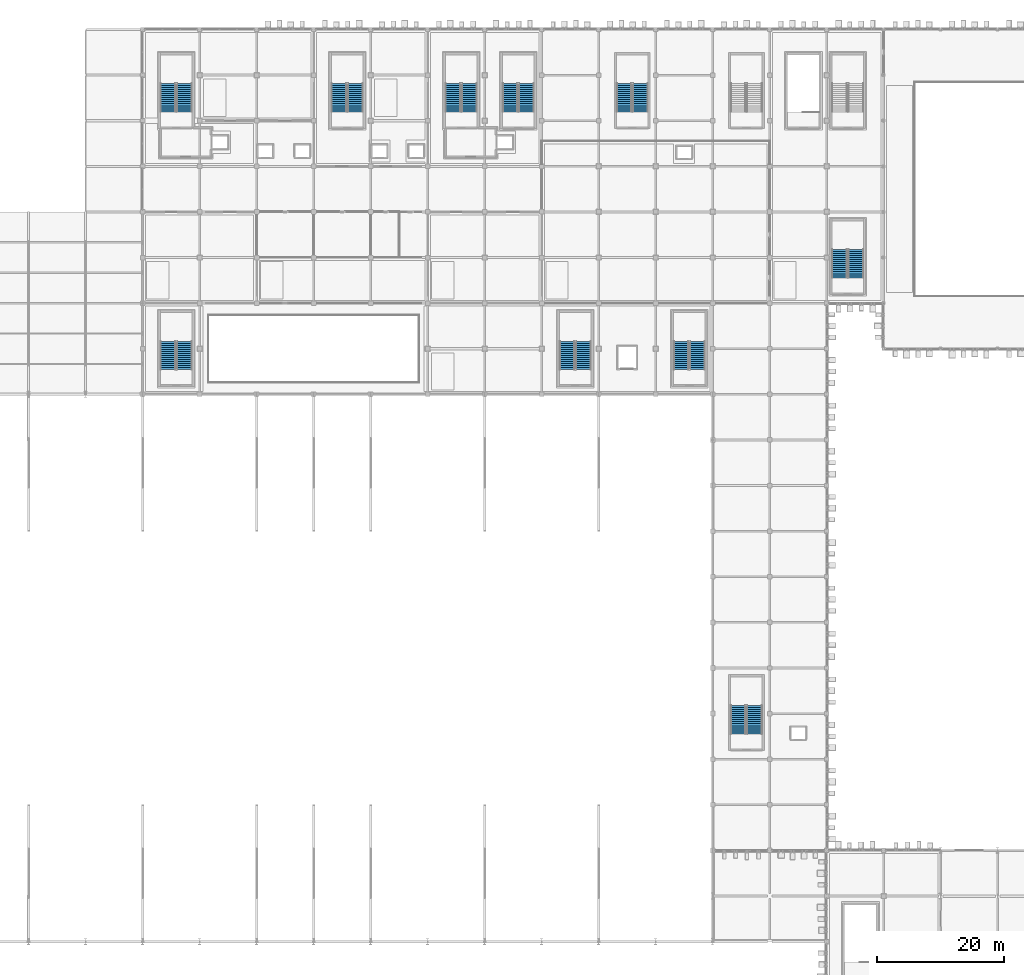
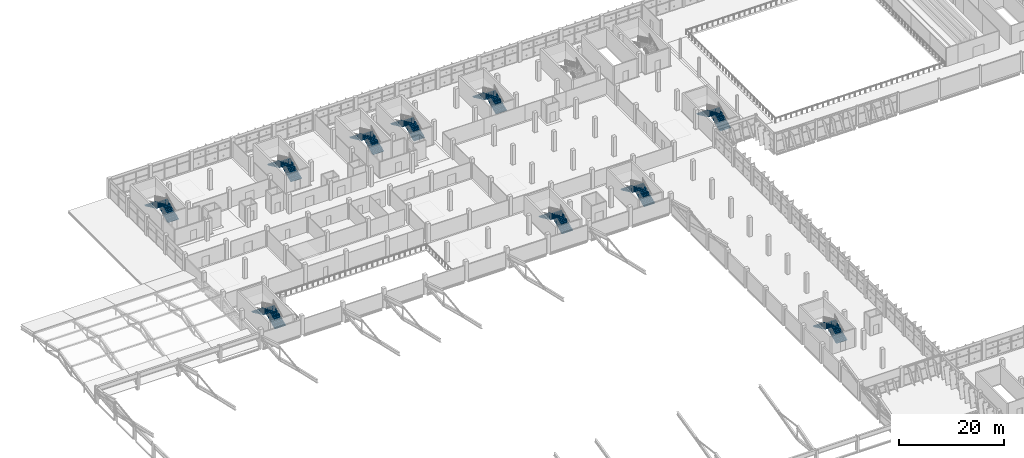
# One storey, part 121 of 151: 20 stair flights, 10 elements without a shape of their own.
"""IFC4 building model written with IfcOpenShell, lengths in metres."""

from ifc_helpers import new_model, si_unit, direction, frame, origin, place, context, subcontext, project, spatial, polyline, outline, extrude, material, type_object, element, aggregate, save


model = new_model("IFC4")

# Units and contexts
model_context = context("Model", 3, precision=1e-05, world=origin(), true_north=direction((0.0, 1.0)))
body_context = subcontext(model_context, "Body", "Model", "MODEL_VIEW")
ifc_project = project(units=[si_unit("LENGTHUNIT", "METRE"), si_unit("AREAUNIT", "SQUARE_METRE"), si_unit("VOLUMEUNIT", "CUBIC_METRE"), si_unit("PLANEANGLEUNIT", "RADIAN"), si_unit("MASSUNIT", "GRAM", prefix="KILO")], contexts=[model_context])

# Site, building, storey
site_placement = place(None, origin())
site = spatial("IfcSite", under=ifc_project, at=site_placement, CompositionType="ELEMENT")
building_placement = place(site_placement, origin())
building = spatial("IfcBuilding", under=site, at=building_placement, Name="Celestram Park Convention Centre", CompositionType="ELEMENT")
storey_placement = place(building_placement, frame((0.0, 0.0, 10.800048828125)))
storey = spatial("IfcBuildingStorey", under=building, at=storey_placement, Name="L02", CompositionType="ELEMENT", Elevation=10.800048828125)

# Stair, stair flights
ifc_material = material(Name="Precast Concrete C40/50", Category="concrete")
stair_type = type_object("IfcStairType", Name="ARC-STR-DOG45", PredefinedType="HALF_TURN_STAIR", material=ifc_material)
stair_1_placement = place(storey_placement, origin())
stair_1 = element("IfcStair", 1, at=stair_1_placement, inside=storey, type_object=stair_type, Name="L02 Core C1 stair ST-01", PredefinedType="HALF_TURN_STAIR")
stair_flight_type = type_object("IfcStairFlightType", Name="ARC-FLT-15R", PredefinedType="STRAIGHT", material=ifc_material)
stair_flight_1_placement = place(storey_placement, frame((42.60009765625, 152.60009765625, 0.0), z_axis=(0.0, 0.0, 1.0), x_axis=(0.0, 1.0, 0.0)))
stair_flight_1 = element("IfcStairFlight", 2, at=stair_flight_1_placement, type_object=stair_flight_type, Name="ST-01 flight 1", NumberOfRisers=15, NumberOfTreads=14, PredefinedType="STRAIGHT", RiserHeight=0.15, TreadLength=0.32, context=body_context, shape_type="SweptSolid", body=[
    extrude(outline(polyline([(0.0, 0.0), (0.0, 0.14990234375), (0.320068359375, 0.14990234375), (0.320068359375, 0.300048828125), (0.639892578125, 0.300048828125), (0.639892578125, 0.449951171875), (0.9599609375, 0.449951171875), (0.9599609375, 0.60009765625), (1.280029296875, 0.60009765625), (1.280029296875, 0.75), (1.60009765625, 0.75), (1.60009765625, 0.89990234375), (1.919921875, 0.89990234375), (1.919921875, 1.050048828125), (2.239990234375, 1.050048828125), (2.239990234375, 1.199951171875), (2.56005859375, 1.199951171875), (2.56005859375, 1.35009765625), (2.8798828125, 1.35009765625), (2.8798828125, 1.5), (3.199951171875, 1.5), (3.199951171875, 1.64990234375), (3.52001953125, 1.64990234375), (3.52001953125, 1.800048828125), (3.840087890625, 1.800048828125), (3.840087890625, 1.949951171875), (4.159912109375, 1.949951171875), (4.159912109375, 2.10009765625), (4.47998046875, 2.10009765625), (4.47998046875, 2.25), (4.47998046875, 1.934326171875), (0.353271484375, 0.0), (0.0, 0.0)])), frame((0.0, 1.199951171875, 0.0), z_axis=(0.0, -1.0, 0.0), x_axis=(1.0, 0.0, 0.0)), (0.0, 0.0, 1.0), 2.39990234375),
])
stair_flight_2_placement = place(storey_placement, frame((40.0400390625, 157.080078125, 2.25), z_axis=(0.0, 0.0, 1.0), x_axis=(0.0, -1.0, 0.0)))
stair_flight_2 = element("IfcStairFlight", 3, at=stair_flight_2_placement, type_object=stair_flight_type, Name="ST-01 flight 2", NumberOfRisers=15, NumberOfTreads=14, PredefinedType="STRAIGHT", RiserHeight=0.15, TreadLength=0.32, context=body_context, shape_type="SweptSolid", body=[
    extrude(outline(polyline([(0.0, 0.0), (0.0, 0.14990234375), (0.320068359375, 0.14990234375), (0.320068359375, 0.300048828125), (0.639892578125, 0.300048828125), (0.639892578125, 0.449951171875), (0.9599609375, 0.449951171875), (0.9599609375, 0.60009765625), (1.280029296875, 0.60009765625), (1.280029296875, 0.75), (1.60009765625, 0.75), (1.60009765625, 0.89990234375), (1.919921875, 0.89990234375), (1.919921875, 1.050048828125), (2.239990234375, 1.050048828125), (2.239990234375, 1.199951171875), (2.56005859375, 1.199951171875), (2.56005859375, 1.35009765625), (2.8798828125, 1.35009765625), (2.8798828125, 1.5), (3.199951171875, 1.5), (3.199951171875, 1.64990234375), (3.52001953125, 1.64990234375), (3.52001953125, 1.800048828125), (3.840087890625, 1.800048828125), (3.840087890625, 1.949951171875), (4.159912109375, 1.949951171875), (4.159912109375, 2.10009765625), (4.47998046875, 2.10009765625), (4.47998046875, 2.25), (4.47998046875, 1.934326171875), (0.353271484375, 0.0), (0.0, 0.0)])), frame((0.0, 1.199951171875, 0.0), z_axis=(0.0, -1.0, 0.0), x_axis=(1.0, 0.0, 0.0)), (0.0, 0.0, 1.0), 2.39990234375),
])
aggregate(stair_1, [stair_flight_1, stair_flight_2])

stair_2_placement = place(storey_placement, origin())
stair_2 = element("IfcStair", 4, at=stair_2_placement, inside=storey, type_object=stair_type, Name="L02 Core C2 stair ST-02", PredefinedType="HALF_TURN_STAIR")
stair_flight_3_placement = place(storey_placement, frame((87.60009765625, 152.60009765625, 0.0), z_axis=(0.0, 0.0, 1.0), x_axis=(0.0, 1.0, 0.0)))
stair_flight_3 = element("IfcStairFlight", 5, at=stair_flight_3_placement, type_object=stair_flight_type, Name="ST-02 flight 1", NumberOfRisers=15, NumberOfTreads=14, PredefinedType="STRAIGHT", RiserHeight=0.15, TreadLength=0.32, context=body_context, shape_type="SweptSolid", body=[
    extrude(outline(polyline([(0.0, 0.0), (0.0, 0.14990234375), (0.320068359375, 0.14990234375), (0.320068359375, 0.300048828125), (0.639892578125, 0.300048828125), (0.639892578125, 0.449951171875), (0.9599609375, 0.449951171875), (0.9599609375, 0.60009765625), (1.280029296875, 0.60009765625), (1.280029296875, 0.75), (1.60009765625, 0.75), (1.60009765625, 0.89990234375), (1.919921875, 0.89990234375), (1.919921875, 1.050048828125), (2.239990234375, 1.050048828125), (2.239990234375, 1.199951171875), (2.56005859375, 1.199951171875), (2.56005859375, 1.35009765625), (2.8798828125, 1.35009765625), (2.8798828125, 1.5), (3.199951171875, 1.5), (3.199951171875, 1.64990234375), (3.52001953125, 1.64990234375), (3.52001953125, 1.800048828125), (3.840087890625, 1.800048828125), (3.840087890625, 1.949951171875), (4.159912109375, 1.949951171875), (4.159912109375, 2.10009765625), (4.47998046875, 2.10009765625), (4.47998046875, 2.25), (4.47998046875, 1.934326171875), (0.353271484375, 0.0), (0.0, 0.0)])), frame((0.0, 1.199951171875, 0.0), z_axis=(0.0, -1.0, 0.0), x_axis=(1.0, 0.0, 0.0)), (0.0, 0.0, 1.0), 2.39990234375),
])
stair_flight_4_placement = place(storey_placement, frame((85.0400390625, 157.080078125, 2.25), z_axis=(0.0, 0.0, 1.0), x_axis=(0.0, -1.0, 0.0)))
stair_flight_4 = element("IfcStairFlight", 6, at=stair_flight_4_placement, type_object=stair_flight_type, Name="ST-02 flight 2", NumberOfRisers=15, NumberOfTreads=14, PredefinedType="STRAIGHT", RiserHeight=0.15, TreadLength=0.32, context=body_context, shape_type="SweptSolid", body=[
    extrude(outline(polyline([(0.0, 0.0), (0.0, 0.14990234375), (0.320068359375, 0.14990234375), (0.320068359375, 0.300048828125), (0.639892578125, 0.300048828125), (0.639892578125, 0.449951171875), (0.9599609375, 0.449951171875), (0.9599609375, 0.60009765625), (1.280029296875, 0.60009765625), (1.280029296875, 0.75), (1.60009765625, 0.75), (1.60009765625, 0.89990234375), (1.919921875, 0.89990234375), (1.919921875, 1.050048828125), (2.239990234375, 1.050048828125), (2.239990234375, 1.199951171875), (2.56005859375, 1.199951171875), (2.56005859375, 1.35009765625), (2.8798828125, 1.35009765625), (2.8798828125, 1.5), (3.199951171875, 1.5), (3.199951171875, 1.64990234375), (3.52001953125, 1.64990234375), (3.52001953125, 1.800048828125), (3.840087890625, 1.800048828125), (3.840087890625, 1.949951171875), (4.159912109375, 1.949951171875), (4.159912109375, 2.10009765625), (4.47998046875, 2.10009765625), (4.47998046875, 2.25), (4.47998046875, 1.934326171875), (0.353271484375, 0.0), (0.0, 0.0)])), frame((0.0, 1.199951171875, 0.0), z_axis=(0.0, -1.0, 0.0), x_axis=(1.0, 0.0, 0.0)), (0.0, 0.0, 1.0), 2.39990234375),
])
aggregate(stair_2, [stair_flight_3, stair_flight_4])

stair_3_placement = place(storey_placement, origin())
stair_3 = element("IfcStair", 7, at=stair_3_placement, inside=storey, type_object=stair_type, Name="L02 Core C3 stair ST-03", PredefinedType="HALF_TURN_STAIR")
stair_flight_5_placement = place(storey_placement, frame((105.60009765625, 111.89990234375, 0.0), z_axis=(0.0, 0.0, 1.0), x_axis=(0.0, 1.0, 0.0)))
stair_flight_5 = element("IfcStairFlight", 8, at=stair_flight_5_placement, type_object=stair_flight_type, Name="ST-03 flight 1", NumberOfRisers=15, NumberOfTreads=14, PredefinedType="STRAIGHT", RiserHeight=0.15, TreadLength=0.32, context=body_context, shape_type="SweptSolid", body=[
    extrude(outline(polyline([(0.0, 0.0), (0.0, 0.14990234375), (0.320068359375, 0.14990234375), (0.320068359375, 0.300048828125), (0.639892578125, 0.300048828125), (0.639892578125, 0.449951171875), (0.9599609375, 0.449951171875), (0.9599609375, 0.60009765625), (1.280029296875, 0.60009765625), (1.280029296875, 0.75), (1.60009765625, 0.75), (1.60009765625, 0.89990234375), (1.919921875, 0.89990234375), (1.919921875, 1.050048828125), (2.239990234375, 1.050048828125), (2.239990234375, 1.199951171875), (2.56005859375, 1.199951171875), (2.56005859375, 1.35009765625), (2.8798828125, 1.35009765625), (2.8798828125, 1.5), (3.199951171875, 1.5), (3.199951171875, 1.64990234375), (3.52001953125, 1.64990234375), (3.52001953125, 1.800048828125), (3.840087890625, 1.800048828125), (3.840087890625, 1.949951171875), (4.159912109375, 1.949951171875), (4.159912109375, 2.10009765625), (4.47998046875, 2.10009765625), (4.47998046875, 2.25), (4.47998046875, 1.934326171875), (0.353271484375, 0.0), (0.0, 0.0)])), frame((0.0, 1.199951171875, 0.0), z_axis=(0.0, -1.0, 0.0), x_axis=(1.0, 0.0, 0.0)), (0.0, 0.0, 1.0), 2.39990234375),
])
stair_flight_6_placement = place(storey_placement, frame((103.0400390625, 116.3798828125, 2.25), z_axis=(0.0, 0.0, 1.0), x_axis=(0.0, -1.0, 0.0)))
stair_flight_6 = element("IfcStairFlight", 9, at=stair_flight_6_placement, type_object=stair_flight_type, Name="ST-03 flight 2", NumberOfRisers=15, NumberOfTreads=14, PredefinedType="STRAIGHT", RiserHeight=0.15, TreadLength=0.32, context=body_context, shape_type="SweptSolid", body=[
    extrude(outline(polyline([(0.0, 0.0), (0.0, 0.14990234375), (0.320068359375, 0.14990234375), (0.320068359375, 0.300048828125), (0.639892578125, 0.300048828125), (0.639892578125, 0.449951171875), (0.9599609375, 0.449951171875), (0.9599609375, 0.60009765625), (1.280029296875, 0.60009765625), (1.280029296875, 0.75), (1.60009765625, 0.75), (1.60009765625, 0.89990234375), (1.919921875, 0.89990234375), (1.919921875, 1.050048828125), (2.239990234375, 1.050048828125), (2.239990234375, 1.199951171875), (2.56005859375, 1.199951171875), (2.56005859375, 1.35009765625), (2.8798828125, 1.35009765625), (2.8798828125, 1.5), (3.199951171875, 1.5), (3.199951171875, 1.64990234375), (3.52001953125, 1.64990234375), (3.52001953125, 1.800048828125), (3.840087890625, 1.800048828125), (3.840087890625, 1.949951171875), (4.159912109375, 1.949951171875), (4.159912109375, 2.10009765625), (4.47998046875, 2.10009765625), (4.47998046875, 2.25), (4.47998046875, 1.934326171875), (0.353271484375, 0.0), (0.0, 0.0)])), frame((0.0, 1.199951171875, 0.0), z_axis=(0.0, -1.0, 0.0), x_axis=(1.0, 0.0, 0.0)), (0.0, 0.0, 1.0), 2.39990234375),
])
aggregate(stair_3, [stair_flight_5, stair_flight_6])

stair_4_placement = place(storey_placement, origin())
stair_4 = element("IfcStair", 10, at=stair_4_placement, inside=storey, type_object=stair_type, Name="L02 Core C4 stair ST-04", PredefinedType="HALF_TURN_STAIR")
stair_flight_7_placement = place(storey_placement, frame((132.60009765625, 54.39990234375, 0.0), z_axis=(0.0, 0.0, 1.0), x_axis=(0.0, 1.0, 0.0)))
stair_flight_7 = element("IfcStairFlight", 11, at=stair_flight_7_placement, type_object=stair_flight_type, Name="ST-04 flight 1", NumberOfRisers=15, NumberOfTreads=14, PredefinedType="STRAIGHT", RiserHeight=0.15, TreadLength=0.32, context=body_context, shape_type="SweptSolid", body=[
    extrude(outline(polyline([(0.0, 0.0), (0.0, 0.14990234375), (0.320068359375, 0.14990234375), (0.320068359375, 0.300048828125), (0.639892578125, 0.300048828125), (0.639892578125, 0.449951171875), (0.9599609375, 0.449951171875), (0.9599609375, 0.60009765625), (1.280029296875, 0.60009765625), (1.280029296875, 0.75), (1.60009765625, 0.75), (1.60009765625, 0.89990234375), (1.919921875, 0.89990234375), (1.919921875, 1.050048828125), (2.239990234375, 1.050048828125), (2.239990234375, 1.199951171875), (2.56005859375, 1.199951171875), (2.56005859375, 1.35009765625), (2.8798828125, 1.35009765625), (2.8798828125, 1.5), (3.199951171875, 1.5), (3.199951171875, 1.64990234375), (3.52001953125, 1.64990234375), (3.52001953125, 1.800048828125), (3.840087890625, 1.800048828125), (3.840087890625, 1.949951171875), (4.159912109375, 1.949951171875), (4.159912109375, 2.10009765625), (4.47998046875, 2.10009765625), (4.47998046875, 2.25), (4.47998046875, 1.934326171875), (0.353271484375, 0.0), (0.0, 0.0)])), frame((0.0, 1.199951171875, 0.0), z_axis=(0.0, -1.0, 0.0), x_axis=(1.0, 0.0, 0.0)), (0.0, 0.0, 1.0), 2.39990234375),
])
stair_flight_8_placement = place(storey_placement, frame((130.0400390625, 58.8798828125, 2.25), z_axis=(0.0, 0.0, 1.0), x_axis=(0.0, -1.0, 0.0)))
stair_flight_8 = element("IfcStairFlight", 12, at=stair_flight_8_placement, type_object=stair_flight_type, Name="ST-04 flight 2", NumberOfRisers=15, NumberOfTreads=14, PredefinedType="STRAIGHT", RiserHeight=0.15, TreadLength=0.32, context=body_context, shape_type="SweptSolid", body=[
    extrude(outline(polyline([(0.0, 0.0), (0.0, 0.14990234375), (0.320068359375, 0.14990234375), (0.320068359375, 0.300048828125), (0.639892578125, 0.300048828125), (0.639892578125, 0.449951171875), (0.9599609375, 0.449951171875), (0.9599609375, 0.60009765625), (1.280029296875, 0.60009765625), (1.280029296875, 0.75), (1.60009765625, 0.75), (1.60009765625, 0.89990234375), (1.919921875, 0.89990234375), (1.919921875, 1.050048828125), (2.239990234375, 1.050048828125), (2.239990234375, 1.199951171875), (2.56005859375, 1.199951171875), (2.56005859375, 1.35009765625), (2.8798828125, 1.35009765625), (2.8798828125, 1.5), (3.199951171875, 1.5), (3.199951171875, 1.64990234375), (3.52001953125, 1.64990234375), (3.52001953125, 1.800048828125), (3.840087890625, 1.800048828125), (3.840087890625, 1.949951171875), (4.159912109375, 1.949951171875), (4.159912109375, 2.10009765625), (4.47998046875, 2.10009765625), (4.47998046875, 2.25), (4.47998046875, 1.934326171875), (0.353271484375, 0.0), (0.0, 0.0)])), frame((0.0, 1.199951171875, 0.0), z_axis=(0.0, -1.0, 0.0), x_axis=(1.0, 0.0, 0.0)), (0.0, 0.0, 1.0), 2.39990234375),
])
aggregate(stair_4, [stair_flight_7, stair_flight_8])

stair_5_placement = place(storey_placement, origin())
stair_5 = element("IfcStair", 13, at=stair_5_placement, inside=storey, type_object=stair_type, Name="L02 Core S10 stair ST-10", PredefinedType="HALF_TURN_STAIR")
stair_flight_9_placement = place(storey_placement, frame((148.60009765625, 126.39990234375, 0.0), z_axis=(0.0, 0.0, 1.0), x_axis=(0.0, 1.0, 0.0)))
stair_flight_9 = element("IfcStairFlight", 14, at=stair_flight_9_placement, type_object=stair_flight_type, Name="ST-10 flight 1", NumberOfRisers=15, NumberOfTreads=14, PredefinedType="STRAIGHT", RiserHeight=0.15, TreadLength=0.32, context=body_context, shape_type="SweptSolid", body=[
    extrude(outline(polyline([(0.0, 0.0), (0.0, 0.14990234375), (0.320068359375, 0.14990234375), (0.320068359375, 0.300048828125), (0.639892578125, 0.300048828125), (0.639892578125, 0.449951171875), (0.9599609375, 0.449951171875), (0.9599609375, 0.60009765625), (1.280029296875, 0.60009765625), (1.280029296875, 0.75), (1.60009765625, 0.75), (1.60009765625, 0.89990234375), (1.919921875, 0.89990234375), (1.919921875, 1.050048828125), (2.239990234375, 1.050048828125), (2.239990234375, 1.199951171875), (2.56005859375, 1.199951171875), (2.56005859375, 1.35009765625), (2.8798828125, 1.35009765625), (2.8798828125, 1.5), (3.199951171875, 1.5), (3.199951171875, 1.64990234375), (3.52001953125, 1.64990234375), (3.52001953125, 1.800048828125), (3.840087890625, 1.800048828125), (3.840087890625, 1.949951171875), (4.159912109375, 1.949951171875), (4.159912109375, 2.10009765625), (4.47998046875, 2.10009765625), (4.47998046875, 2.25), (4.47998046875, 1.934326171875), (0.353271484375, 0.0), (0.0, 0.0)])), frame((0.0, 1.199951171875, 0.0), z_axis=(0.0, -1.0, 0.0), x_axis=(1.0, 0.0, 0.0)), (0.0, 0.0, 1.0), 2.39990234375),
])
stair_flight_10_placement = place(storey_placement, frame((146.0400390625, 130.8798828125, 2.25), z_axis=(0.0, 0.0, 1.0), x_axis=(0.0, -1.0, 0.0)))
stair_flight_10 = element("IfcStairFlight", 15, at=stair_flight_10_placement, type_object=stair_flight_type, Name="ST-10 flight 2", NumberOfRisers=15, NumberOfTreads=14, PredefinedType="STRAIGHT", RiserHeight=0.15, TreadLength=0.32, context=body_context, shape_type="SweptSolid", body=[
    extrude(outline(polyline([(0.0, 0.0), (0.0, 0.14990234375), (0.320068359375, 0.14990234375), (0.320068359375, 0.300048828125), (0.639892578125, 0.300048828125), (0.639892578125, 0.449951171875), (0.9599609375, 0.449951171875), (0.9599609375, 0.60009765625), (1.280029296875, 0.60009765625), (1.280029296875, 0.75), (1.60009765625, 0.75), (1.60009765625, 0.89990234375), (1.919921875, 0.89990234375), (1.919921875, 1.050048828125), (2.239990234375, 1.050048828125), (2.239990234375, 1.199951171875), (2.56005859375, 1.199951171875), (2.56005859375, 1.35009765625), (2.8798828125, 1.35009765625), (2.8798828125, 1.5), (3.199951171875, 1.5), (3.199951171875, 1.64990234375), (3.52001953125, 1.64990234375), (3.52001953125, 1.800048828125), (3.840087890625, 1.800048828125), (3.840087890625, 1.949951171875), (4.159912109375, 1.949951171875), (4.159912109375, 2.10009765625), (4.47998046875, 2.10009765625), (4.47998046875, 2.25), (4.47998046875, 1.934326171875), (0.353271484375, 0.0), (0.0, 0.0)])), frame((0.0, 1.199951171875, 0.0), z_axis=(0.0, -1.0, 0.0), x_axis=(1.0, 0.0, 0.0)), (0.0, 0.0, 1.0), 2.39990234375),
])
aggregate(stair_5, [stair_flight_9, stair_flight_10])

stair_6_placement = place(storey_placement, origin())
stair_6 = element("IfcStair", 16, at=stair_6_placement, inside=storey, type_object=stair_type, Name="L02 Core S13 stair ST-13", PredefinedType="HALF_TURN_STAIR")
stair_flight_11_placement = place(storey_placement, frame((42.60009765625, 111.89990234375, 0.0), z_axis=(0.0, 0.0, 1.0), x_axis=(0.0, 1.0, 0.0)))
stair_flight_11 = element("IfcStairFlight", 17, at=stair_flight_11_placement, type_object=stair_flight_type, Name="ST-13 flight 1", NumberOfRisers=15, NumberOfTreads=14, PredefinedType="STRAIGHT", RiserHeight=0.15, TreadLength=0.32, context=body_context, shape_type="SweptSolid", body=[
    extrude(outline(polyline([(0.0, 0.0), (0.0, 0.14990234375), (0.320068359375, 0.14990234375), (0.320068359375, 0.300048828125), (0.639892578125, 0.300048828125), (0.639892578125, 0.449951171875), (0.9599609375, 0.449951171875), (0.9599609375, 0.60009765625), (1.280029296875, 0.60009765625), (1.280029296875, 0.75), (1.60009765625, 0.75), (1.60009765625, 0.89990234375), (1.919921875, 0.89990234375), (1.919921875, 1.050048828125), (2.239990234375, 1.050048828125), (2.239990234375, 1.199951171875), (2.56005859375, 1.199951171875), (2.56005859375, 1.35009765625), (2.8798828125, 1.35009765625), (2.8798828125, 1.5), (3.199951171875, 1.5), (3.199951171875, 1.64990234375), (3.52001953125, 1.64990234375), (3.52001953125, 1.800048828125), (3.840087890625, 1.800048828125), (3.840087890625, 1.949951171875), (4.159912109375, 1.949951171875), (4.159912109375, 2.10009765625), (4.47998046875, 2.10009765625), (4.47998046875, 2.25), (4.47998046875, 1.934326171875), (0.353271484375, 0.0), (0.0, 0.0)])), frame((0.0, 1.199951171875, 0.0), z_axis=(0.0, -1.0, 0.0), x_axis=(1.0, 0.0, 0.0)), (0.0, 0.0, 1.0), 2.39990234375),
])
stair_flight_12_placement = place(storey_placement, frame((40.0400390625, 116.3798828125, 2.25), z_axis=(0.0, 0.0, 1.0), x_axis=(0.0, -1.0, 0.0)))
stair_flight_12 = element("IfcStairFlight", 18, at=stair_flight_12_placement, type_object=stair_flight_type, Name="ST-13 flight 2", NumberOfRisers=15, NumberOfTreads=14, PredefinedType="STRAIGHT", RiserHeight=0.15, TreadLength=0.32, context=body_context, shape_type="SweptSolid", body=[
    extrude(outline(polyline([(0.0, 0.0), (0.0, 0.14990234375), (0.320068359375, 0.14990234375), (0.320068359375, 0.300048828125), (0.639892578125, 0.300048828125), (0.639892578125, 0.449951171875), (0.9599609375, 0.449951171875), (0.9599609375, 0.60009765625), (1.280029296875, 0.60009765625), (1.280029296875, 0.75), (1.60009765625, 0.75), (1.60009765625, 0.89990234375), (1.919921875, 0.89990234375), (1.919921875, 1.050048828125), (2.239990234375, 1.050048828125), (2.239990234375, 1.199951171875), (2.56005859375, 1.199951171875), (2.56005859375, 1.35009765625), (2.8798828125, 1.35009765625), (2.8798828125, 1.5), (3.199951171875, 1.5), (3.199951171875, 1.64990234375), (3.52001953125, 1.64990234375), (3.52001953125, 1.800048828125), (3.840087890625, 1.800048828125), (3.840087890625, 1.949951171875), (4.159912109375, 1.949951171875), (4.159912109375, 2.10009765625), (4.47998046875, 2.10009765625), (4.47998046875, 2.25), (4.47998046875, 1.934326171875), (0.353271484375, 0.0), (0.0, 0.0)])), frame((0.0, 1.199951171875, 0.0), z_axis=(0.0, -1.0, 0.0), x_axis=(1.0, 0.0, 0.0)), (0.0, 0.0, 1.0), 2.39990234375),
])
aggregate(stair_6, [stair_flight_11, stair_flight_12])

stair_7_placement = place(storey_placement, origin())
stair_7 = element("IfcStair", 19, at=stair_7_placement, inside=storey, type_object=stair_type, Name="L02 Core S14 stair ST-14", PredefinedType="HALF_TURN_STAIR")
stair_flight_13_placement = place(storey_placement, frame((69.60009765625, 152.60009765625, 0.0), z_axis=(0.0, 0.0, 1.0), x_axis=(0.0, 1.0, 0.0)))
stair_flight_13 = element("IfcStairFlight", 20, at=stair_flight_13_placement, type_object=stair_flight_type, Name="ST-14 flight 1", NumberOfRisers=15, NumberOfTreads=14, PredefinedType="STRAIGHT", RiserHeight=0.15, TreadLength=0.32, context=body_context, shape_type="SweptSolid", body=[
    extrude(outline(polyline([(0.0, 0.0), (0.0, 0.14990234375), (0.320068359375, 0.14990234375), (0.320068359375, 0.300048828125), (0.639892578125, 0.300048828125), (0.639892578125, 0.449951171875), (0.9599609375, 0.449951171875), (0.9599609375, 0.60009765625), (1.280029296875, 0.60009765625), (1.280029296875, 0.75), (1.60009765625, 0.75), (1.60009765625, 0.89990234375), (1.919921875, 0.89990234375), (1.919921875, 1.050048828125), (2.239990234375, 1.050048828125), (2.239990234375, 1.199951171875), (2.56005859375, 1.199951171875), (2.56005859375, 1.35009765625), (2.8798828125, 1.35009765625), (2.8798828125, 1.5), (3.199951171875, 1.5), (3.199951171875, 1.64990234375), (3.52001953125, 1.64990234375), (3.52001953125, 1.800048828125), (3.840087890625, 1.800048828125), (3.840087890625, 1.949951171875), (4.159912109375, 1.949951171875), (4.159912109375, 2.10009765625), (4.47998046875, 2.10009765625), (4.47998046875, 2.25), (4.47998046875, 1.934326171875), (0.353271484375, 0.0), (0.0, 0.0)])), frame((0.0, 1.199951171875, 0.0), z_axis=(0.0, -1.0, 0.0), x_axis=(1.0, 0.0, 0.0)), (0.0, 0.0, 1.0), 2.39990234375),
])
stair_flight_14_placement = place(storey_placement, frame((67.0400390625, 157.080078125, 2.25), z_axis=(0.0, 0.0, 1.0), x_axis=(0.0, -1.0, 0.0)))
stair_flight_14 = element("IfcStairFlight", 21, at=stair_flight_14_placement, type_object=stair_flight_type, Name="ST-14 flight 2", NumberOfRisers=15, NumberOfTreads=14, PredefinedType="STRAIGHT", RiserHeight=0.15, TreadLength=0.32, context=body_context, shape_type="SweptSolid", body=[
    extrude(outline(polyline([(0.0, 0.0), (0.0, 0.14990234375), (0.320068359375, 0.14990234375), (0.320068359375, 0.300048828125), (0.639892578125, 0.300048828125), (0.639892578125, 0.449951171875), (0.9599609375, 0.449951171875), (0.9599609375, 0.60009765625), (1.280029296875, 0.60009765625), (1.280029296875, 0.75), (1.60009765625, 0.75), (1.60009765625, 0.89990234375), (1.919921875, 0.89990234375), (1.919921875, 1.050048828125), (2.239990234375, 1.050048828125), (2.239990234375, 1.199951171875), (2.56005859375, 1.199951171875), (2.56005859375, 1.35009765625), (2.8798828125, 1.35009765625), (2.8798828125, 1.5), (3.199951171875, 1.5), (3.199951171875, 1.64990234375), (3.52001953125, 1.64990234375), (3.52001953125, 1.800048828125), (3.840087890625, 1.800048828125), (3.840087890625, 1.949951171875), (4.159912109375, 1.949951171875), (4.159912109375, 2.10009765625), (4.47998046875, 2.10009765625), (4.47998046875, 2.25), (4.47998046875, 1.934326171875), (0.353271484375, 0.0), (0.0, 0.0)])), frame((0.0, 1.199951171875, 0.0), z_axis=(0.0, -1.0, 0.0), x_axis=(1.0, 0.0, 0.0)), (0.0, 0.0, 1.0), 2.39990234375),
])
aggregate(stair_7, [stair_flight_13, stair_flight_14])

stair_8_placement = place(storey_placement, origin())
stair_8 = element("IfcStair", 22, at=stair_8_placement, inside=storey, type_object=stair_type, Name="L02 Core S16 stair ST-16", PredefinedType="HALF_TURN_STAIR")
stair_flight_15_placement = place(storey_placement, frame((114.60009765625, 152.60009765625, 0.0), z_axis=(0.0, 0.0, 1.0), x_axis=(0.0, 1.0, 0.0)))
stair_flight_15 = element("IfcStairFlight", 23, at=stair_flight_15_placement, type_object=stair_flight_type, Name="ST-16 flight 1", NumberOfRisers=15, NumberOfTreads=14, PredefinedType="STRAIGHT", RiserHeight=0.15, TreadLength=0.32, context=body_context, shape_type="SweptSolid", body=[
    extrude(outline(polyline([(0.0, 0.0), (0.0, 0.14990234375), (0.320068359375, 0.14990234375), (0.320068359375, 0.300048828125), (0.639892578125, 0.300048828125), (0.639892578125, 0.449951171875), (0.9599609375, 0.449951171875), (0.9599609375, 0.60009765625), (1.280029296875, 0.60009765625), (1.280029296875, 0.75), (1.60009765625, 0.75), (1.60009765625, 0.89990234375), (1.919921875, 0.89990234375), (1.919921875, 1.050048828125), (2.239990234375, 1.050048828125), (2.239990234375, 1.199951171875), (2.56005859375, 1.199951171875), (2.56005859375, 1.35009765625), (2.8798828125, 1.35009765625), (2.8798828125, 1.5), (3.199951171875, 1.5), (3.199951171875, 1.64990234375), (3.52001953125, 1.64990234375), (3.52001953125, 1.800048828125), (3.840087890625, 1.800048828125), (3.840087890625, 1.949951171875), (4.159912109375, 1.949951171875), (4.159912109375, 2.10009765625), (4.47998046875, 2.10009765625), (4.47998046875, 2.25), (4.47998046875, 1.934326171875), (0.353271484375, 0.0), (0.0, 0.0)])), frame((0.0, 1.199951171875, 0.0), z_axis=(0.0, -1.0, 0.0), x_axis=(1.0, 0.0, 0.0)), (0.0, 0.0, 1.0), 2.39990234375),
])
stair_flight_16_placement = place(storey_placement, frame((112.0400390625, 157.080078125, 2.25), z_axis=(0.0, 0.0, 1.0), x_axis=(0.0, -1.0, 0.0)))
stair_flight_16 = element("IfcStairFlight", 24, at=stair_flight_16_placement, type_object=stair_flight_type, Name="ST-16 flight 2", NumberOfRisers=15, NumberOfTreads=14, PredefinedType="STRAIGHT", RiserHeight=0.15, TreadLength=0.32, context=body_context, shape_type="SweptSolid", body=[
    extrude(outline(polyline([(0.0, 0.0), (0.0, 0.14990234375), (0.320068359375, 0.14990234375), (0.320068359375, 0.300048828125), (0.639892578125, 0.300048828125), (0.639892578125, 0.449951171875), (0.9599609375, 0.449951171875), (0.9599609375, 0.60009765625), (1.280029296875, 0.60009765625), (1.280029296875, 0.75), (1.60009765625, 0.75), (1.60009765625, 0.89990234375), (1.919921875, 0.89990234375), (1.919921875, 1.050048828125), (2.239990234375, 1.050048828125), (2.239990234375, 1.199951171875), (2.56005859375, 1.199951171875), (2.56005859375, 1.35009765625), (2.8798828125, 1.35009765625), (2.8798828125, 1.5), (3.199951171875, 1.5), (3.199951171875, 1.64990234375), (3.52001953125, 1.64990234375), (3.52001953125, 1.800048828125), (3.840087890625, 1.800048828125), (3.840087890625, 1.949951171875), (4.159912109375, 1.949951171875), (4.159912109375, 2.10009765625), (4.47998046875, 2.10009765625), (4.47998046875, 2.25), (4.47998046875, 1.934326171875), (0.353271484375, 0.0), (0.0, 0.0)])), frame((0.0, 1.199951171875, 0.0), z_axis=(0.0, -1.0, 0.0), x_axis=(1.0, 0.0, 0.0)), (0.0, 0.0, 1.0), 2.39990234375),
])
aggregate(stair_8, [stair_flight_15, stair_flight_16])

stair_9_placement = place(storey_placement, origin())
stair_9 = element("IfcStair", 25, at=stair_9_placement, inside=storey, type_object=stair_type, Name="L02 Core S19 stair ST-19", PredefinedType="HALF_TURN_STAIR")
stair_flight_17_placement = place(storey_placement, frame((96.60009765625, 152.60009765625, 0.0), z_axis=(0.0, 0.0, 1.0), x_axis=(0.0, 1.0, 0.0)))
stair_flight_17 = element("IfcStairFlight", 26, at=stair_flight_17_placement, type_object=stair_flight_type, Name="ST-19 flight 1", NumberOfRisers=15, NumberOfTreads=14, PredefinedType="STRAIGHT", RiserHeight=0.15, TreadLength=0.32, context=body_context, shape_type="SweptSolid", body=[
    extrude(outline(polyline([(0.0, 0.0), (0.0, 0.14990234375), (0.320068359375, 0.14990234375), (0.320068359375, 0.300048828125), (0.639892578125, 0.300048828125), (0.639892578125, 0.449951171875), (0.9599609375, 0.449951171875), (0.9599609375, 0.60009765625), (1.280029296875, 0.60009765625), (1.280029296875, 0.75), (1.60009765625, 0.75), (1.60009765625, 0.89990234375), (1.919921875, 0.89990234375), (1.919921875, 1.050048828125), (2.239990234375, 1.050048828125), (2.239990234375, 1.199951171875), (2.56005859375, 1.199951171875), (2.56005859375, 1.35009765625), (2.8798828125, 1.35009765625), (2.8798828125, 1.5), (3.199951171875, 1.5), (3.199951171875, 1.64990234375), (3.52001953125, 1.64990234375), (3.52001953125, 1.800048828125), (3.840087890625, 1.800048828125), (3.840087890625, 1.949951171875), (4.159912109375, 1.949951171875), (4.159912109375, 2.10009765625), (4.47998046875, 2.10009765625), (4.47998046875, 2.25), (4.47998046875, 1.934326171875), (0.353271484375, 0.0), (0.0, 0.0)])), frame((0.0, 1.199951171875, 0.0), z_axis=(0.0, -1.0, 0.0), x_axis=(1.0, 0.0, 0.0)), (0.0, 0.0, 1.0), 2.39990234375),
])
stair_flight_18_placement = place(storey_placement, frame((94.0400390625, 157.080078125, 2.25), z_axis=(0.0, 0.0, 1.0), x_axis=(0.0, -1.0, 0.0)))
stair_flight_18 = element("IfcStairFlight", 27, at=stair_flight_18_placement, type_object=stair_flight_type, Name="ST-19 flight 2", NumberOfRisers=15, NumberOfTreads=14, PredefinedType="STRAIGHT", RiserHeight=0.15, TreadLength=0.32, context=body_context, shape_type="SweptSolid", body=[
    extrude(outline(polyline([(0.0, 0.0), (0.0, 0.14990234375), (0.320068359375, 0.14990234375), (0.320068359375, 0.300048828125), (0.639892578125, 0.300048828125), (0.639892578125, 0.449951171875), (0.9599609375, 0.449951171875), (0.9599609375, 0.60009765625), (1.280029296875, 0.60009765625), (1.280029296875, 0.75), (1.60009765625, 0.75), (1.60009765625, 0.89990234375), (1.919921875, 0.89990234375), (1.919921875, 1.050048828125), (2.239990234375, 1.050048828125), (2.239990234375, 1.199951171875), (2.56005859375, 1.199951171875), (2.56005859375, 1.35009765625), (2.8798828125, 1.35009765625), (2.8798828125, 1.5), (3.199951171875, 1.5), (3.199951171875, 1.64990234375), (3.52001953125, 1.64990234375), (3.52001953125, 1.800048828125), (3.840087890625, 1.800048828125), (3.840087890625, 1.949951171875), (4.159912109375, 1.949951171875), (4.159912109375, 2.10009765625), (4.47998046875, 2.10009765625), (4.47998046875, 2.25), (4.47998046875, 1.934326171875), (0.353271484375, 0.0), (0.0, 0.0)])), frame((0.0, 1.199951171875, 0.0), z_axis=(0.0, -1.0, 0.0), x_axis=(1.0, 0.0, 0.0)), (0.0, 0.0, 1.0), 2.39990234375),
])
aggregate(stair_9, [stair_flight_17, stair_flight_18])

stair_10_placement = place(storey_placement, origin())
stair_10 = element("IfcStair", 28, at=stair_10_placement, inside=storey, type_object=stair_type, Name="L02 Core S20 stair ST-20", PredefinedType="HALF_TURN_STAIR")
stair_flight_19_placement = place(storey_placement, frame((123.60009765625, 111.89990234375, 0.0), z_axis=(0.0, 0.0, 1.0), x_axis=(0.0, 1.0, 0.0)))
stair_flight_19 = element("IfcStairFlight", 29, at=stair_flight_19_placement, type_object=stair_flight_type, Name="ST-20 flight 1", NumberOfRisers=15, NumberOfTreads=14, PredefinedType="STRAIGHT", RiserHeight=0.15, TreadLength=0.32, context=body_context, shape_type="SweptSolid", body=[
    extrude(outline(polyline([(0.0, 0.0), (0.0, 0.14990234375), (0.320068359375, 0.14990234375), (0.320068359375, 0.300048828125), (0.639892578125, 0.300048828125), (0.639892578125, 0.449951171875), (0.9599609375, 0.449951171875), (0.9599609375, 0.60009765625), (1.280029296875, 0.60009765625), (1.280029296875, 0.75), (1.60009765625, 0.75), (1.60009765625, 0.89990234375), (1.919921875, 0.89990234375), (1.919921875, 1.050048828125), (2.239990234375, 1.050048828125), (2.239990234375, 1.199951171875), (2.56005859375, 1.199951171875), (2.56005859375, 1.35009765625), (2.8798828125, 1.35009765625), (2.8798828125, 1.5), (3.199951171875, 1.5), (3.199951171875, 1.64990234375), (3.52001953125, 1.64990234375), (3.52001953125, 1.800048828125), (3.840087890625, 1.800048828125), (3.840087890625, 1.949951171875), (4.159912109375, 1.949951171875), (4.159912109375, 2.10009765625), (4.47998046875, 2.10009765625), (4.47998046875, 2.25), (4.47998046875, 1.934326171875), (0.353271484375, 0.0), (0.0, 0.0)])), frame((0.0, 1.199951171875, 0.0), z_axis=(0.0, -1.0, 0.0), x_axis=(1.0, 0.0, 0.0)), (0.0, 0.0, 1.0), 2.39990234375),
])
stair_flight_20_placement = place(storey_placement, frame((121.0400390625, 116.3798828125, 2.25), z_axis=(0.0, 0.0, 1.0), x_axis=(0.0, -1.0, 0.0)))
stair_flight_20 = element("IfcStairFlight", 30, at=stair_flight_20_placement, type_object=stair_flight_type, Name="ST-20 flight 2", NumberOfRisers=15, NumberOfTreads=14, PredefinedType="STRAIGHT", RiserHeight=0.15, TreadLength=0.32, context=body_context, shape_type="SweptSolid", body=[
    extrude(outline(polyline([(0.0, 0.0), (0.0, 0.14990234375), (0.320068359375, 0.14990234375), (0.320068359375, 0.300048828125), (0.639892578125, 0.300048828125), (0.639892578125, 0.449951171875), (0.9599609375, 0.449951171875), (0.9599609375, 0.60009765625), (1.280029296875, 0.60009765625), (1.280029296875, 0.75), (1.60009765625, 0.75), (1.60009765625, 0.89990234375), (1.919921875, 0.89990234375), (1.919921875, 1.050048828125), (2.239990234375, 1.050048828125), (2.239990234375, 1.199951171875), (2.56005859375, 1.199951171875), (2.56005859375, 1.35009765625), (2.8798828125, 1.35009765625), (2.8798828125, 1.5), (3.199951171875, 1.5), (3.199951171875, 1.64990234375), (3.52001953125, 1.64990234375), (3.52001953125, 1.800048828125), (3.840087890625, 1.800048828125), (3.840087890625, 1.949951171875), (4.159912109375, 1.949951171875), (4.159912109375, 2.10009765625), (4.47998046875, 2.10009765625), (4.47998046875, 2.25), (4.47998046875, 1.934326171875), (0.353271484375, 0.0), (0.0, 0.0)])), frame((0.0, 1.199951171875, 0.0), z_axis=(0.0, -1.0, 0.0), x_axis=(1.0, 0.0, 0.0)), (0.0, 0.0, 1.0), 2.39990234375),
])
aggregate(stair_10, [stair_flight_19, stair_flight_20])

save(model, "model.ifc")
